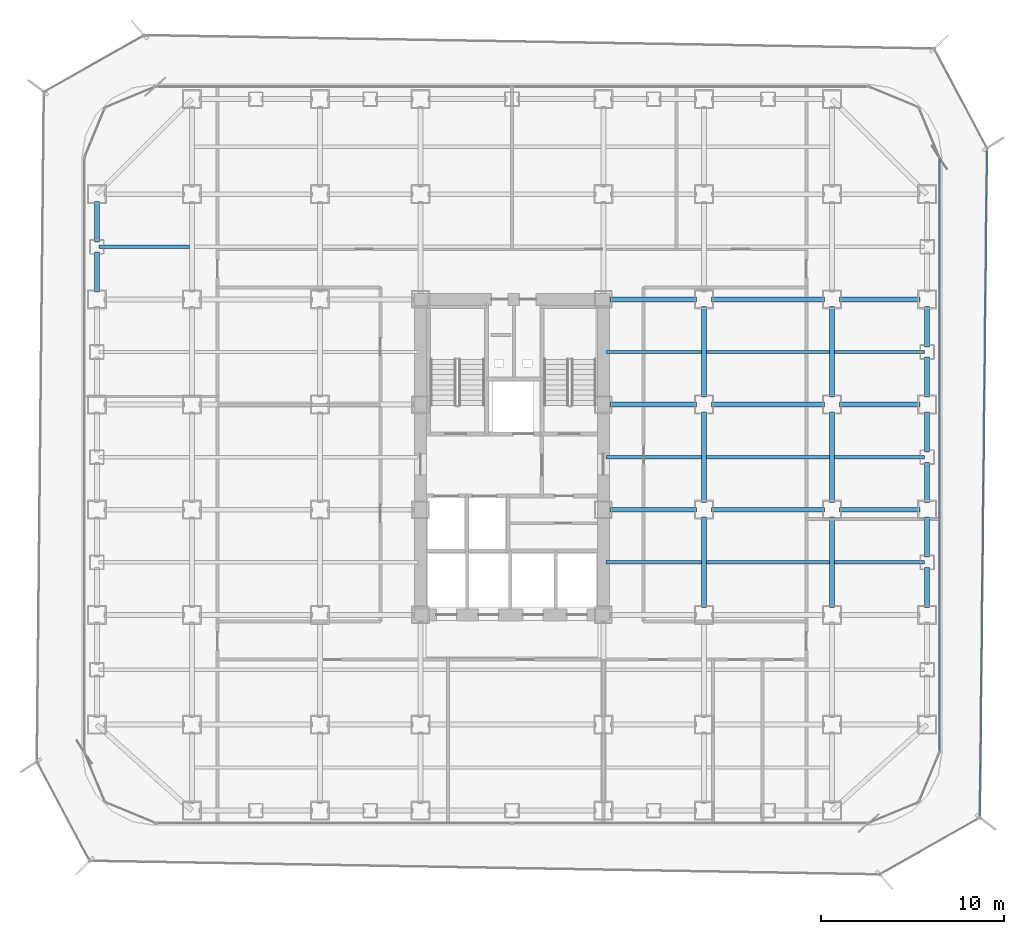
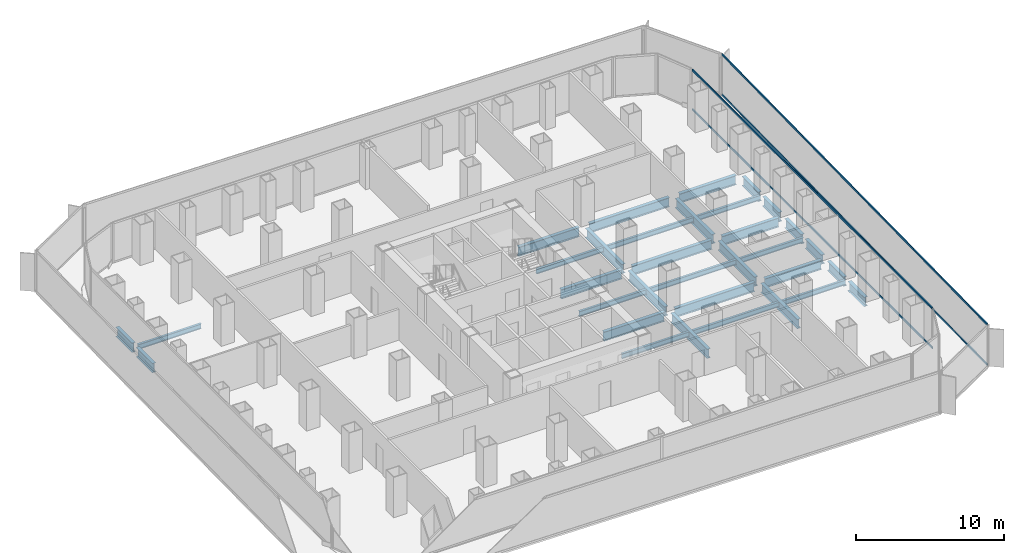
# One storey, part 9 of 21: 33 beams, 4 members, 2 elements without a shape of their own.
"""IFC4 building model written with IfcOpenShell, lengths in metres."""

from ifc_helpers import new_model, si_unit, direction, frame, origin, origin_2d, place, context, subcontext, project, spatial, hollow_rectangle, i_section, extrude, source, transform, mapped, material, layer, layer_set, material_profile, profile_set, type_object, element, aggregate, save


model = new_model("IFC4")

# Units and contexts
model_context = context("Model", 3, precision=1e-05, world=origin(), true_north=direction((0.0, 1.0)))
body_context = subcontext(model_context, "Body", "Model", "MODEL_VIEW")
ifc_project = project(units=[si_unit("LENGTHUNIT", "METRE"), si_unit("AREAUNIT", "SQUARE_METRE"), si_unit("VOLUMEUNIT", "CUBIC_METRE"), si_unit("PLANEANGLEUNIT", "RADIAN"), si_unit("MASSUNIT", "GRAM", prefix="KILO")], contexts=[model_context])

# Site, building, storey
site_placement = place(None, origin())
site = spatial("IfcSite", under=ifc_project, at=site_placement, CompositionType="ELEMENT")
building_placement = place(site_placement, origin())
building = spatial("IfcBuilding", under=site, at=building_placement, Name="Kolveth Station Tower", CompositionType="ELEMENT")
storey_placement = place(building_placement, frame((0.0, 0.0, 40.5)))
storey = spatial("IfcBuildingStorey", under=building, at=storey_placement, Name="L10", CompositionType="ELEMENT", Elevation=40.5)

# Beams
ifc_material_1 = material(Name="Steel S355", Category="steel")
ifc_material_profile_1 = material_profile(ifc_material_1, i_section(OverallWidth=0.26904296875, OverallDepth=0.77490234375, WebThickness=0.01708984375, FlangeThickness=0.0283203125, at=origin_2d()), Name="W760x220")
ifc_profile_set_1 = profile_set([ifc_material_profile_1], Name="Steel S355")
beam_type_1 = type_object("IfcBeamType", Name="Beam_SP1", PredefinedType="SPANDREL", material=ifc_profile_set_1)
shared_shape_1 = source(origin(), body_context, "Body", "SweptSolid", [
    extrude(i_section(OverallWidth=0.26904296875, OverallDepth=0.77490234375, WebThickness=0.01708984375, FlangeThickness=0.0283203125, at=origin_2d()), origin(), (0.0, 0.0, 1.0), 2.2001953125),
])
for number, where, z_axis, x_axis, name in (
    (1, (0.800048828125, 31.89990234375, -0.66748046875), (0.0, 1.0, 0.0), (-1.0, 0.0, 0.0), "L10 Perimeter Spandrel BM-L10-PW-10"),
    (2, (46.199951171875, 11.89990234375, -0.66748046875), (0.0, 1.0, 0.0), (-1.0, 0.0, 0.0), "L10 Perimeter Spandrel BM-L10-PE-3"),
    (3, (46.199951171875, 20.39990234375, -0.66748046875), (0.0, 1.0, 0.0), (-1.0, 0.0, 0.0), "L10 Perimeter Spandrel BM-L10-PE-6"),
    (4, (46.199951171875, 23.39990234375, -0.66748046875), (0.0, 1.0, 0.0), (-1.0, 0.0, 0.0), "L10 Perimeter Spandrel BM-L10-PE-7"),
):
    element("IfcBeam", number, at=place(storey_placement, frame(where, z_axis=z_axis, x_axis=x_axis)), inside=storey, type_object=beam_type_1, Name=name, PredefinedType="SPANDREL", context=body_context, shape_type="MappedRepresentation", body=[
        mapped(shared_shape_1, transform((0.0, 0.0, 0.0), x_axis=(1.0, 0.0, 0.0), y_axis=(0.0, 1.0, 0.0), z_axis=(0.0, 0.0, 1.0), scale=1.0)),
    ])
shared_shape_2 = source(origin(), body_context, "Body", "SweptSolid", [
    extrude(i_section(OverallWidth=0.26904296875, OverallDepth=0.77490234375, WebThickness=0.01708984375, FlangeThickness=0.0283203125, at=origin_2d()), origin(), (0.0, 0.0, 1.0), 2.190185546875),
])
for number, where, z_axis, x_axis, name in (
    (5, (0.800048828125, 29.14990234375, -0.66748046875), (0.0, 1.0, 0.0), (-1.0, 0.0, 0.0), "L10 Perimeter Spandrel BM-L10-PW-9"),
    (6, (46.199951171875, 14.659912109375, -0.66748046875), (0.0, 1.0, 0.0), (-1.0, 0.0, 0.0), "L10 Perimeter Spandrel BM-L10-PE-4"),
    (7, (46.199951171875, 17.64990234375, -0.66748046875), (0.0, 1.0, 0.0), (-1.0, 0.0, 0.0), "L10 Perimeter Spandrel BM-L10-PE-5"),
    (8, (46.199951171875, 26.159912109375, -0.66748046875), (0.0, 1.0, 0.0), (-1.0, 0.0, 0.0), "L10 Perimeter Spandrel BM-L10-PE-8"),
):
    element("IfcBeam", number, at=place(storey_placement, frame(where, z_axis=z_axis, x_axis=x_axis)), inside=storey, type_object=beam_type_1, Name=name, PredefinedType="SPANDREL", context=body_context, shape_type="MappedRepresentation", body=[
        mapped(shared_shape_2, transform((0.0, 0.0, 0.0), x_axis=(1.0, 0.0, 0.0), y_axis=(0.0, 1.0, 0.0), z_axis=(0.0, 0.0, 1.0), scale=1.0)),
    ])
ifc_material_profile_2 = material_profile(ifc_material_1, i_section(OverallWidth=0.26708984375, OverallDepth=0.76611328125, WebThickness=0.014892578125, FlangeThickness=0.023681640625, at=origin_2d()), Name="W760x185")
ifc_profile_set_2 = profile_set([ifc_material_profile_2], Name="Steel S355")
beam_type_2 = type_object("IfcBeamType", Name="Beam_B3", PredefinedType="BEAM", material=ifc_profile_set_2)
shared_shape_3 = source(origin(), body_context, "Body", "SweptSolid", [
    extrude(i_section(OverallWidth=0.26708984375, OverallDepth=0.76611328125, WebThickness=0.014892578125, FlangeThickness=0.023681640625, at=origin_2d()), origin(), (0.0, 0.0, 1.0), 4.400146484375),
])
for number, where, z_axis, x_axis, name in (
    (9, (41.39990234375, 17.25, -0.6630859375), (1.0, 0.0, 0.0), (0.0, 1.0, 0.0), "L10 Primary Girder BM-L10-GY172-7"),
    (10, (41.39990234375, 23.0, -0.6630859375), (1.0, 0.0, 0.0), (0.0, 1.0, 0.0), "L10 Primary Girder BM-L10-GY230-7"),
    (11, (41.39990234375, 28.75, -0.6630859375), (1.0, 0.0, 0.0), (0.0, 1.0, 0.0), "L10 Primary Girder BM-L10-GY287-7"),
):
    element("IfcBeam", number, at=place(storey_placement, frame(where, z_axis=z_axis, x_axis=x_axis)), inside=storey, type_object=beam_type_2, Name=name, PredefinedType="BEAM", context=body_context, shape_type="MappedRepresentation", body=[
        mapped(shared_shape_3, transform((0.0, 0.0, 0.0), x_axis=(1.0, 0.0, 0.0), y_axis=(0.0, 1.0, 0.0), z_axis=(0.0, 0.0, 1.0), scale=1.0)),
    ])
shared_shape_4 = source(origin(), body_context, "Body", "SweptSolid", [
    extrude(i_section(OverallWidth=0.26708984375, OverallDepth=0.76611328125, WebThickness=0.014892578125, FlangeThickness=0.023681640625, at=origin_2d()), origin(), (0.0, 0.0, 1.0), 6.2001953125),
])
for number, where, z_axis, x_axis, name in (
    (12, (34.39990234375, 17.25, -0.6630859375), (1.0, 0.0, 0.0), (0.0, 1.0, 0.0), "L10 Primary Girder BM-L10-GY172-6"),
    (13, (34.39990234375, 23.0, -0.6630859375), (1.0, 0.0, 0.0), (0.0, 1.0, 0.0), "L10 Primary Girder BM-L10-GY230-6"),
    (14, (34.39990234375, 28.75, -0.6630859375), (1.0, 0.0, 0.0), (0.0, 1.0, 0.0), "L10 Primary Girder BM-L10-GY287-6"),
):
    element("IfcBeam", number, at=place(storey_placement, frame(where, z_axis=z_axis, x_axis=x_axis)), inside=storey, type_object=beam_type_2, Name=name, PredefinedType="BEAM", context=body_context, shape_type="MappedRepresentation", body=[
        mapped(shared_shape_4, transform((0.0, 0.0, 0.0), x_axis=(1.0, 0.0, 0.0), y_axis=(0.0, 1.0, 0.0), z_axis=(0.0, 0.0, 1.0), scale=1.0)),
    ])
shared_shape_5 = source(origin(), body_context, "Body", "SweptSolid", [
    extrude(i_section(OverallWidth=0.26708984375, OverallDepth=0.76611328125, WebThickness=0.014892578125, FlangeThickness=0.023681640625, at=origin_2d()), origin(), (0.0, 0.0, 1.0), 4.739990234375),
])
for number, where, z_axis, x_axis, name in (
    (15, (28.860107421875, 17.25, -0.6630859375), (1.0, 0.0, 0.0), (0.0, 1.0, 0.0), "L10 Primary Girder BM-L10-GY172-5"),
    (16, (28.860107421875, 23.0, -0.6630859375), (1.0, 0.0, 0.0), (0.0, 1.0, 0.0), "L10 Primary Girder BM-L10-GY230-5"),
    (17, (28.860107421875, 28.75, -0.6630859375), (1.0, 0.0, 0.0), (0.0, 1.0, 0.0), "L10 Primary Girder BM-L10-GY287-5"),
):
    element("IfcBeam", number, at=place(storey_placement, frame(where, z_axis=z_axis, x_axis=x_axis)), inside=storey, type_object=beam_type_2, Name=name, PredefinedType="BEAM", context=body_context, shape_type="MappedRepresentation", body=[
        mapped(shared_shape_5, transform((0.0, 0.0, 0.0), x_axis=(1.0, 0.0, 0.0), y_axis=(0.0, 1.0, 0.0), z_axis=(0.0, 0.0, 1.0), scale=1.0)),
    ])
shared_shape_6 = source(origin(), body_context, "Body", "SweptSolid", [
    extrude(i_section(OverallWidth=0.26708984375, OverallDepth=0.76611328125, WebThickness=0.014892578125, FlangeThickness=0.023681640625, at=origin_2d()), origin(), (0.0, 0.0, 1.0), 4.9501953125),
])
for number, where, z_axis, x_axis, name in (
    (18, (34.0, 11.89990234375, -0.6630859375), (0.0, 1.0, 0.0), (-1.0, 0.0, 0.0), "L10 Primary Girder BM-L10-GX340-3"),
    (19, (34.0, 17.64990234375, -0.6630859375), (0.0, 1.0, 0.0), (-1.0, 0.0, 0.0), "L10 Primary Girder BM-L10-GX340-4"),
    (20, (34.0, 23.39990234375, -0.6630859375), (0.0, 1.0, 0.0), (-1.0, 0.0, 0.0), "L10 Primary Girder BM-L10-GX340-5"),
    (21, (41.0, 11.89990234375, -0.6630859375), (0.0, 1.0, 0.0), (-1.0, 0.0, 0.0), "L10 Primary Girder BM-L10-GX410-3"),
    (22, (41.0, 17.64990234375, -0.6630859375), (0.0, 1.0, 0.0), (-1.0, 0.0, 0.0), "L10 Primary Girder BM-L10-GX410-4"),
    (23, (41.0, 23.39990234375, -0.6630859375), (0.0, 1.0, 0.0), (-1.0, 0.0, 0.0), "L10 Primary Girder BM-L10-GX410-5"),
):
    element("IfcBeam", number, at=place(storey_placement, frame(where, z_axis=z_axis, x_axis=x_axis)), inside=storey, type_object=beam_type_2, Name=name, PredefinedType="BEAM", context=body_context, shape_type="MappedRepresentation", body=[
        mapped(shared_shape_6, transform((0.0, 0.0, 0.0), x_axis=(1.0, 0.0, 0.0), y_axis=(0.0, 1.0, 0.0), z_axis=(0.0, 0.0, 1.0), scale=1.0)),
    ])
ifc_material_profile_3 = material_profile(ifc_material_1, i_section(OverallWidth=0.177978515625, OverallDepth=0.406982421875, WebThickness=0.0078125, FlangeThickness=0.0126953125, at=origin_2d()), Name="W410x60")
ifc_profile_set_3 = profile_set([ifc_material_profile_3], Name="Steel S355")
beam_type_3 = type_object("IfcBeamType", Name="Beam_J1", PredefinedType="JOIST", material=ifc_profile_set_3)
shared_shape_7 = source(origin(), body_context, "Body", "SweptSolid", [
    extrude(i_section(OverallWidth=0.177978515625, OverallDepth=0.406982421875, WebThickness=0.0078125, FlangeThickness=0.0126953125, at=origin_2d()), origin(), (0.0, 0.0, 1.0), 4.935791015625),
])
for number, where, z_axis, x_axis, name in (
    (24, (0.9326171875, 31.625, -0.4833984375), (1.0, 0.0, 0.0), (0.0, 1.0, 0.0), "L10 Secondary Joist JST-L10-1-6"),
    (25, (41.131591796875, 14.375, -0.4833984375), (1.0, 0.0, 0.0), (0.0, 1.0, 0.0), "L10 Secondary Joist JST-L10-7-3"),
    (26, (41.131591796875, 20.125, -0.4833984375), (1.0, 0.0, 0.0), (0.0, 1.0, 0.0), "L10 Secondary Joist JST-L10-7-4"),
    (27, (41.131591796875, 25.875, -0.4833984375), (1.0, 0.0, 0.0), (0.0, 1.0, 0.0), "L10 Secondary Joist JST-L10-7-5"),
):
    element("IfcBeam", number, at=place(storey_placement, frame(where, z_axis=z_axis, x_axis=x_axis)), inside=storey, type_object=beam_type_3, Name=name, PredefinedType="JOIST", context=body_context, shape_type="MappedRepresentation", body=[
        mapped(shared_shape_7, transform((0.0, 0.0, 0.0), x_axis=(1.0, 0.0, 0.0), y_axis=(0.0, 1.0, 0.0), z_axis=(0.0, 0.0, 1.0), scale=1.0)),
    ])
shared_shape_8 = source(origin(), body_context, "Body", "SweptSolid", [
    extrude(i_section(OverallWidth=0.177978515625, OverallDepth=0.406982421875, WebThickness=0.0078125, FlangeThickness=0.0126953125, at=origin_2d()), origin(), (0.0, 0.0, 1.0), 6.73681640625),
])
for number, where, z_axis, x_axis, name in (
    (28, (34.131591796875, 14.375, -0.4833984375), (1.0, 0.0, 0.0), (0.0, 1.0, 0.0), "L10 Secondary Joist JST-L10-6-3"),
    (29, (34.131591796875, 20.125, -0.4833984375), (1.0, 0.0, 0.0), (0.0, 1.0, 0.0), "L10 Secondary Joist JST-L10-6-4"),
    (30, (34.131591796875, 25.875, -0.4833984375), (1.0, 0.0, 0.0), (0.0, 1.0, 0.0), "L10 Secondary Joist JST-L10-6-5"),
):
    element("IfcBeam", number, at=place(storey_placement, frame(where, z_axis=z_axis, x_axis=x_axis)), inside=storey, type_object=beam_type_3, Name=name, PredefinedType="JOIST", context=body_context, shape_type="MappedRepresentation", body=[
        mapped(shared_shape_8, transform((0.0, 0.0, 0.0), x_axis=(1.0, 0.0, 0.0), y_axis=(0.0, 1.0, 0.0), z_axis=(0.0, 0.0, 1.0), scale=1.0)),
    ])
shared_shape_9 = source(origin(), body_context, "Body", "SweptSolid", [
    extrude(i_section(OverallWidth=0.177978515625, OverallDepth=0.406982421875, WebThickness=0.0078125, FlangeThickness=0.0126953125, at=origin_2d()), origin(), (0.0, 0.0, 1.0), 5.23681640625),
])
for number, where, z_axis, x_axis, name in (
    (31, (28.631591796875, 14.375, -0.4833984375), (1.0, 0.0, 0.0), (0.0, 1.0, 0.0), "L10 Secondary Joist JST-L10-5-3"),
    (32, (28.631591796875, 20.125, -0.4833984375), (1.0, 0.0, 0.0), (0.0, 1.0, 0.0), "L10 Secondary Joist JST-L10-5-4"),
    (33, (28.631591796875, 25.875, -0.4833984375), (1.0, 0.0, 0.0), (0.0, 1.0, 0.0), "L10 Secondary Joist JST-L10-5-5"),
):
    element("IfcBeam", number, at=place(storey_placement, frame(where, z_axis=z_axis, x_axis=x_axis)), inside=storey, type_object=beam_type_3, Name=name, PredefinedType="JOIST", context=body_context, shape_type="MappedRepresentation", body=[
        mapped(shared_shape_9, transform((0.0, 0.0, 0.0), x_axis=(1.0, 0.0, 0.0), y_axis=(0.0, 1.0, 0.0), z_axis=(0.0, 0.0, 1.0), scale=1.0)),
    ])

# Curtain wall, members
ifc_material_2 = material(Name="Aluminium 6063-T6 and low-E dark glass", Category="aluminium")
ifc_layer_1 = layer(ifc_material_2, 0.179931640625)
ifc_layer_set_1 = layer_set([ifc_layer_1], Name="Aluminium 6063-T6 and low-E dark glass")
curtain_wall_type_1 = type_object("IfcCurtainWallType", Name="CurtainWall_CW-Z1", PredefinedType="NOTDEFINED", material=ifc_layer_set_1)
curtain_wall_1_placement = place(storey_placement, origin())
curtain_wall_1 = element("IfcCurtainWall", 34, at=curtain_wall_1_placement, inside=storey, type_object=curtain_wall_type_1, Name="L10 Inner Thermal Curtain Wall 3", PredefinedType="NOTDEFINED")
ifc_material_3 = material(Name="Black anodized aluminium 6063-T6", Category="aluminium")
ifc_material_profile_4 = material_profile(ifc_material_3, hollow_rectangle(XDim=0.074951171875, YDim=0.159912109375, WallThickness=0.0048828125, at=origin_2d()), Name="ALU-75x160x5")
ifc_profile_set_4 = profile_set([ifc_material_profile_4], Name="Black anodized aluminium 6063-T6")
member_type_1 = type_object("IfcMemberType", Name="Transom_TR1", PredefinedType="USERDEFINED", material=ifc_profile_set_4)
shared_shape_10 = source(origin(), body_context, "Body", "SweptSolid", [
    extrude(hollow_rectangle(XDim=0.074951171875, YDim=0.159912109375, WallThickness=0.0048828125, at=origin_2d()), origin(), (0.0, 0.0, 1.0), 32.35009765625),
])
member_1_placement = place(storey_placement, frame((46.8798828125, 4.074951171875, 0.03759765625), z_axis=(0.0, 1.0, 0.0), x_axis=(-1.0, 0.0, 0.0)))
member_1 = element("IfcMember", 35, at=member_1_placement, type_object=member_type_1, Name="CW-Z1 transom 1.1", ObjectType="TRANSOM", PredefinedType="USERDEFINED", context=body_context, shape_type="MappedRepresentation", body=[
    mapped(shared_shape_10, transform((0.0, 0.0, 0.0), x_axis=(1.0, 0.0, 0.0), y_axis=(0.0, 1.0, 0.0), z_axis=(0.0, 0.0, 1.0), scale=1.0)),
])
member_2_placement = place(storey_placement, frame((46.8798828125, 4.074951171875, 3.282470703125), z_axis=(0.0, 1.0, 0.0), x_axis=(-1.0, 0.0, 0.0)))
member_2 = element("IfcMember", 36, at=member_2_placement, type_object=member_type_1, Name="CW-Z1 transom 1.2", ObjectType="TRANSOM", PredefinedType="USERDEFINED", context=body_context, shape_type="MappedRepresentation", body=[
    mapped(shared_shape_10, transform((0.0, 0.0, 0.0), x_axis=(1.0, 0.0, 0.0), y_axis=(0.0, 1.0, 0.0), z_axis=(0.0, 0.0, 1.0), scale=1.0)),
])
aggregate(curtain_wall_1, [member_1, member_2])

ifc_material_4 = material(Name="Black anodized aluminium 6063-T6 and dark solar glass", Category="aluminium")
ifc_layer_2 = layer(ifc_material_4, 0.159912109375)
ifc_layer_set_2 = layer_set([ifc_layer_2], Name="Black anodized aluminium 6063-T6 and dark solar glass")
curtain_wall_type_2 = type_object("IfcCurtainWallType", Name="OUTER SKIN CW-OS", PredefinedType="NOTDEFINED", material=ifc_layer_set_2)
curtain_wall_2_placement = place(storey_placement, origin())
curtain_wall_2 = element("IfcCurtainWall", 37, at=curtain_wall_2_placement, inside=storey, type_object=curtain_wall_type_2, Name="L10 Outer Ventilated Skin Curtain Wall 2", PredefinedType="NOTDEFINED")
ifc_material_profile_5 = material_profile(ifc_material_3, hollow_rectangle(XDim=0.080078125, YDim=0.14990234375, WallThickness=0.0048828125, at=origin_2d()), Name="ALU-80x150x5")
ifc_profile_set_5 = profile_set([ifc_material_profile_5], Name="Black anodized aluminium 6063-T6")
member_type_2 = type_object("IfcMemberType", Name="Transom_TR-OS", PredefinedType="USERDEFINED", material=ifc_profile_set_5)
shared_shape_11 = source(origin(), body_context, "Body", "SweptSolid", [
    extrude(hollow_rectangle(XDim=0.080078125, YDim=0.14990234375, WallThickness=0.0048828125, at=origin_2d()), origin(), (0.0, 0.0, 1.0), 36.427734375),
])
member_3_placement = place(storey_placement, frame((49.08984375, 0.50439453125, 0.0400390625), z_axis=(0.010542309556, 0.999944428311, 0.0), x_axis=(-0.999944428311, 0.010542309556, 0.0)))
member_3 = element("IfcMember", 38, at=member_3_placement, type_object=member_type_2, Name="CW-OS transom 1.1", ObjectType="TRANSOM", PredefinedType="USERDEFINED", context=body_context, shape_type="MappedRepresentation", body=[
    mapped(shared_shape_11, transform((0.0, 0.0, 0.0), x_axis=(1.0, 0.0, 0.0), y_axis=(0.0, 1.0, 0.0), z_axis=(0.0, 0.0, 1.0), scale=1.0)),
])
member_4_placement = place(storey_placement, frame((49.08984375, 0.50439453125, 3.35009765625), z_axis=(0.010542309556, 0.999944428311, 0.0), x_axis=(-0.999944428311, 0.010542309556, 0.0)))
member_4 = element("IfcMember", 39, at=member_4_placement, type_object=member_type_2, Name="CW-OS transom 1.2", ObjectType="TRANSOM", PredefinedType="USERDEFINED", context=body_context, shape_type="MappedRepresentation", body=[
    mapped(shared_shape_11, transform((0.0, 0.0, 0.0), x_axis=(1.0, 0.0, 0.0), y_axis=(0.0, 1.0, 0.0), z_axis=(0.0, 0.0, 1.0), scale=1.0)),
])
aggregate(curtain_wall_2, [member_3, member_4])

save(model, "model.ifc")
